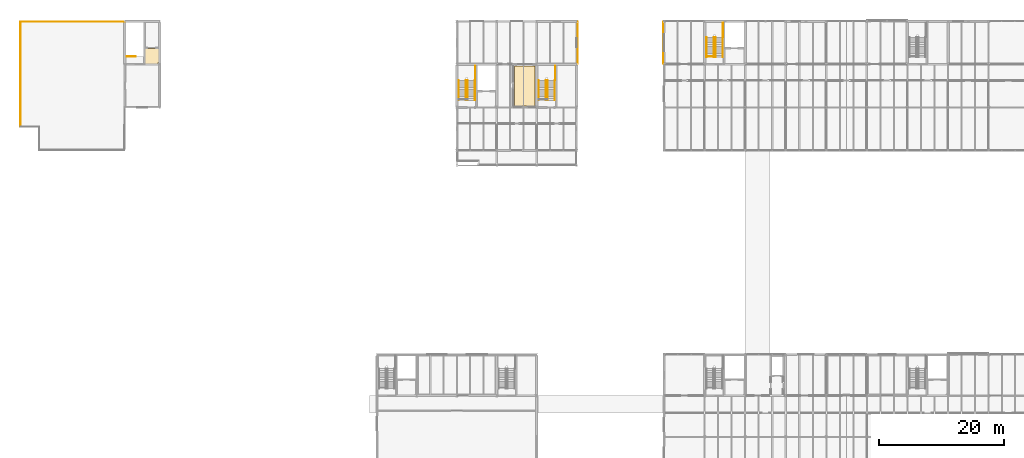
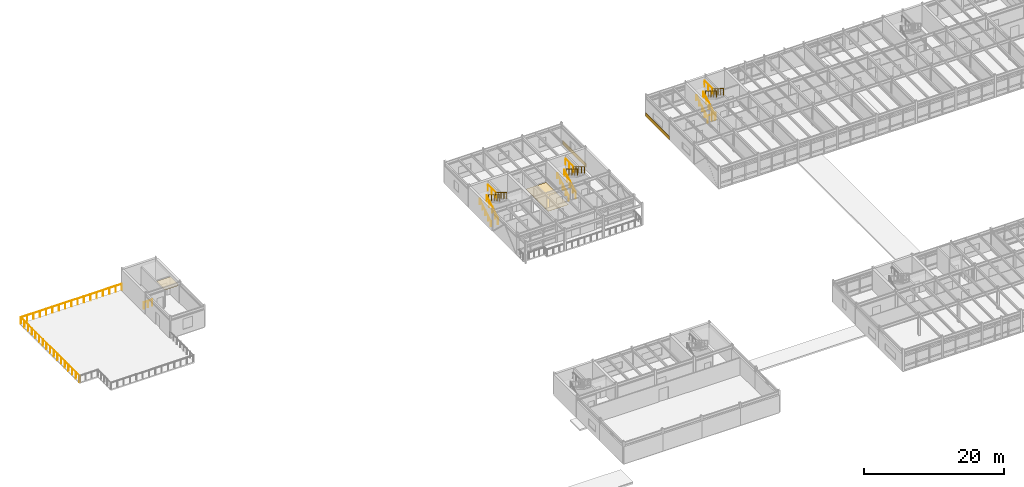
# One storey, part 48 of 49: 19 railings, 4 coverings.
"""IFC4 building model written with IfcOpenShell, lengths in metres."""

from ifc_helpers import new_model, si_unit, direction, frame, origin, origin_2d, place, context, subcontext, project, spatial, polyline, rectangle, circle, outline, extrude, material, layer, layer_set, type_object, element, save


model = new_model("IFC4")

# Units and contexts
model_context = context("Model", 3, precision=1e-05, world=origin(), true_north=direction((0.0, 1.0)))
body_context = subcontext(model_context, "Body", "Model", "MODEL_VIEW")
ifc_project = project(units=[si_unit("LENGTHUNIT", "METRE"), si_unit("AREAUNIT", "SQUARE_METRE"), si_unit("VOLUMEUNIT", "CUBIC_METRE"), si_unit("PLANEANGLEUNIT", "RADIAN"), si_unit("MASSUNIT", "GRAM", prefix="KILO")], contexts=[model_context])

# Site, building, storey
site_placement = place(None, origin())
site = spatial("IfcSite", under=ifc_project, at=site_placement, CompositionType="ELEMENT")
building_placement = place(site_placement, origin())
building = spatial("IfcBuilding", under=site, at=building_placement, Name="Trelmorton Wharf Fire Station", CompositionType="ELEMENT")
storey_placement = place(building_placement, frame((0.0, 0.0, 9.60009765625)))
storey = spatial("IfcBuildingStorey", under=building, at=storey_placement, Name="L02", CompositionType="ELEMENT", Elevation=9.60009765625)

# Coverings
ifc_material_1 = material(Name="Mineral fibre acoustic ceiling")
ifc_layer_1 = layer(ifc_material_1, 0.02001953125)
ifc_layer_set_1 = layer_set([ifc_layer_1], Name="Mineral fibre acoustic ceiling")
covering_type_1 = type_object("IfcCoveringType", Name="CV_CEIL_ACOU", PredefinedType="CEILING", material=ifc_layer_set_1)
covering_1_placement = place(storey_placement, frame((0.0, 0.0, 2.97998046875)))
element("IfcCovering", 1, at=covering_1_placement, inside=storey, type_object=covering_type_1, Name="CV-CLG-031", PredefinedType="CEILING", context=body_context, shape_type="SweptSolid", body=[
    extrude(outline(polyline([(20.760009765625, 74.139892578125), (20.760009765625, 76.659912109375), (23.159912109375, 76.659912109375), (23.159912109375, 74.39990234375), (22.89990234375, 74.39990234375), (22.89990234375, 74.139892578125), (20.760009765625, 74.139892578125)])), origin(), (0.0, 0.0, 1.0), 0.02001953125),
])
ifc_material_2 = material(Name="Architectural terracotta cladding", Category="masonry")
ifc_layer_2 = layer(ifc_material_2, 0.044921875)
ifc_layer_set_2 = layer_set([ifc_layer_2], Name="Architectural terracotta cladding")
covering_type_2 = type_object("IfcCoveringType", Name="CV_CLAD_TER", PredefinedType="CLADDING", material=ifc_layer_set_2)
for number, where, z_axis, x_axis, name in (
    (2, (90.1650390625, 77.550048828125, 0.02978515625), (0.0, 0.0, 1.0), (0.0, -1.0, 0.0), "CV-TER-0031"),
    (3, (103.864990234375, 77.550048828125, 0.02978515625), (0.0, 0.0, 1.0), (0.0, 1.0, 0.0), "CV-TER-0043"),
):
    element("IfcCovering", number, at=place(storey_placement, frame(where, z_axis=z_axis, x_axis=x_axis)), inside=storey, type_object=covering_type_2, Name=name, PredefinedType="CLADDING", context=body_context, shape_type="SweptSolid", body=[
        extrude(rectangle(XDim=6.77001953125, YDim=0.044921875, at=origin_2d()), origin(), (0.0, 0.0, 1.0), 0.659912109375),
    ])
ifc_material_3 = material(Name="Quarry tile wet-area flooring")
ifc_layer_3 = layer(ifc_material_3, 0.02001953125)
ifc_layer_set_3 = layer_set([ifc_layer_3], Name="Quarry tile wet-area flooring")
covering_type_3 = type_object("IfcCoveringType", Name="CV_FLOR_TILE", PredefinedType="FLOORING", material=ifc_layer_set_3)
covering_2_placement = place(storey_placement, origin())
element("IfcCovering", 4, at=covering_2_placement, inside=storey, type_object=covering_type_3, Name="CV-FLR-024", PredefinedType="FLOORING", context=body_context, shape_type="SweptSolid", body=[
    extrude(outline(polyline([(83.35009765625, 67.449951171875), (83.35009765625, 73.85009765625), (80.050048828125, 73.85009765625), (80.050048828125, 67.449951171875), (83.35009765625, 67.449951171875)])), origin(), (0.0, 0.0, 1.0), 0.02001953125),
])

# Railings
ifc_material_4 = material(Name="Stainless steel 316 marine grade", Category="steel")
railing_type_1 = type_object("IfcRailingType", Name="RL_BAL_TERR", PredefinedType="BALUSTRADE", material=ifc_material_4)
railing_1_placement = place(storey_placement, frame((0.8798828125, 64.139892578125, 0.0)))
element("IfcRailing", 5, at=railing_1_placement, inside=storey, type_object=railing_type_1, Name="RL-DECK-L02-050", PredefinedType="BALUSTRADE", context=body_context, shape_type="SweptSolid", body=[
    extrude(circle(Radius=0.02392578125, at=origin_2d()), frame((0.0, 0.0, 1.09619140625), z_axis=(0.0, 1.0, 0.0), x_axis=(-1.0, 0.0, 0.0)), (0.0, 0.0, 1.0), 16.739990234375),
    extrude(circle(Radius=0.02099609375, at=origin_2d()), origin(), (0.0, 0.0, 1.0), 1.072021484375),
    extrude(circle(Radius=0.02099609375, at=origin_2d()), frame((0.0, 1.046142578125, 0.0)), (0.0, 0.0, 1.0), 1.072021484375),
    extrude(circle(Radius=0.02099609375, at=origin_2d()), frame((0.0, 2.092529296875, 0.0)), (0.0, 0.0, 1.0), 1.072021484375),
    extrude(circle(Radius=0.02099609375, at=origin_2d()), frame((0.0, 3.138671875, 0.0)), (0.0, 0.0, 1.0), 1.072021484375),
    extrude(circle(Radius=0.02099609375, at=origin_2d()), frame((0.0, 4.18505859375, 0.0)), (0.0, 0.0, 1.0), 1.072021484375),
    extrude(circle(Radius=0.02099609375, at=origin_2d()), frame((0.0, 5.231201171875, 0.0)), (0.0, 0.0, 1.0), 1.072021484375),
    extrude(circle(Radius=0.02099609375, at=origin_2d()), frame((0.0, 6.277587890625, 0.0)), (0.0, 0.0, 1.0), 1.072021484375),
    extrude(circle(Radius=0.02099609375, at=origin_2d()), frame((0.0, 7.32373046875, 0.0)), (0.0, 0.0, 1.0), 1.072021484375),
    extrude(circle(Radius=0.02099609375, at=origin_2d()), frame((0.0, 8.3701171875, 0.0)), (0.0, 0.0, 1.0), 1.072021484375),
    extrude(circle(Radius=0.02099609375, at=origin_2d()), frame((0.0, 9.416259765625, 0.0)), (0.0, 0.0, 1.0), 1.072021484375),
    extrude(circle(Radius=0.02099609375, at=origin_2d()), frame((0.0, 10.46240234375, 0.0)), (0.0, 0.0, 1.0), 1.072021484375),
    extrude(circle(Radius=0.02099609375, at=origin_2d()), frame((0.0, 11.5087890625, 0.0)), (0.0, 0.0, 1.0), 1.072021484375),
    extrude(circle(Radius=0.02099609375, at=origin_2d()), frame((0.0, 12.554931640625, 0.0)), (0.0, 0.0, 1.0), 1.072021484375),
    extrude(circle(Radius=0.02099609375, at=origin_2d()), frame((0.0, 13.601318359375, 0.0)), (0.0, 0.0, 1.0), 1.072021484375),
    extrude(circle(Radius=0.02099609375, at=origin_2d()), frame((0.0, 14.6474609375, 0.0)), (0.0, 0.0, 1.0), 1.072021484375),
    extrude(circle(Radius=0.02099609375, at=origin_2d()), frame((0.0, 15.69384765625, 0.0)), (0.0, 0.0, 1.0), 1.072021484375),
    extrude(circle(Radius=0.02099609375, at=origin_2d()), frame((0.0, 16.739990234375, 0.0)), (0.0, 0.0, 1.0), 1.072021484375),
])
railing_2_placement = place(storey_placement, frame((0.919921875, 80.919921875, 0.0)))
element("IfcRailing", 6, at=railing_2_placement, inside=storey, type_object=railing_type_1, Name="RL-DECK-L02-051", PredefinedType="BALUSTRADE", context=body_context, shape_type="SweptSolid", body=[
    extrude(circle(Radius=0.02392578125, at=origin_2d()), frame((0.0, 0.0, 1.09619140625), z_axis=(1.0, 0.0, 0.0), x_axis=(0.0, 1.0, 0.0)), (0.0, 0.0, 1.0), 16.64013671875),
    extrude(circle(Radius=0.02099609375, at=origin_2d()), origin(), (0.0, 0.0, 1.0), 1.072021484375),
    extrude(circle(Radius=0.02099609375, at=origin_2d()), frame((1.0400390625, 0.0, 0.0)), (0.0, 0.0, 1.0), 1.072021484375),
    extrude(circle(Radius=0.02099609375, at=origin_2d()), frame((2.080078125, 0.0, 0.0)), (0.0, 0.0, 1.0), 1.072021484375),
    extrude(circle(Radius=0.02099609375, at=origin_2d()), frame((3.1201171875, 0.0, 0.0)), (0.0, 0.0, 1.0), 1.072021484375),
    extrude(circle(Radius=0.02099609375, at=origin_2d()), frame((4.16015625, 0.0, 0.0)), (0.0, 0.0, 1.0), 1.072021484375),
    extrude(circle(Radius=0.02099609375, at=origin_2d()), frame((5.199951171875, 0.0, 0.0)), (0.0, 0.0, 1.0), 1.072021484375),
    extrude(circle(Radius=0.02099609375, at=origin_2d()), frame((6.239990234375, 0.0, 0.0)), (0.0, 0.0, 1.0), 1.072021484375),
    extrude(circle(Radius=0.02099609375, at=origin_2d()), frame((7.280029296875, 0.0, 0.0)), (0.0, 0.0, 1.0), 1.072021484375),
    extrude(circle(Radius=0.02099609375, at=origin_2d()), frame((8.320068359375, 0.0, 0.0)), (0.0, 0.0, 1.0), 1.072021484375),
    extrude(circle(Radius=0.02099609375, at=origin_2d()), frame((9.360107421875, 0.0, 0.0)), (0.0, 0.0, 1.0), 1.072021484375),
    extrude(circle(Radius=0.02099609375, at=origin_2d()), frame((10.400146484375, 0.0, 0.0)), (0.0, 0.0, 1.0), 1.072021484375),
    extrude(circle(Radius=0.02099609375, at=origin_2d()), frame((11.440185546875, 0.0, 0.0)), (0.0, 0.0, 1.0), 1.072021484375),
    extrude(circle(Radius=0.02099609375, at=origin_2d()), frame((12.47998046875, 0.0, 0.0)), (0.0, 0.0, 1.0), 1.072021484375),
    extrude(circle(Radius=0.02099609375, at=origin_2d()), frame((13.52001953125, 0.0, 0.0)), (0.0, 0.0, 1.0), 1.072021484375),
    extrude(circle(Radius=0.02099609375, at=origin_2d()), frame((14.56005859375, 0.0, 0.0)), (0.0, 0.0, 1.0), 1.072021484375),
    extrude(circle(Radius=0.02099609375, at=origin_2d()), frame((15.60009765625, 0.0, 0.0)), (0.0, 0.0, 1.0), 1.072021484375),
    extrude(circle(Radius=0.02099609375, at=origin_2d()), frame((16.64013671875, 0.0, 0.0)), (0.0, 0.0, 1.0), 1.072021484375),
])
railing_type_2 = type_object("IfcRailingType", Name="RL_HAND_900", PredefinedType="HANDRAIL", material=ifc_material_4)
for number, where, name in (
    (7, (71.110107421875, 68.340087890625, 0.0), "RL-HR1-STR-C6-L02-23"),
    (8, (83.909912109375, 68.340087890625, 0.0), "RL-HR1-STR-C6B-L02-29"),
    (9, (110.81005859375, 75.239990234375, 0.0), "RL-HR1-STR-C7-L02-35"),
):
    element("IfcRailing", number, at=place(storey_placement, frame(where)), inside=storey, type_object=railing_type_2, Name=name, PredefinedType="HANDRAIL", context=body_context, shape_type="SweptSolid", body=[
        extrude(circle(Radius=0.02099609375, at=origin_2d()), frame((0.0, 0.0, 0.87890625), z_axis=(0.0, 0.853217260254, 0.521555660313), x_axis=(-1.0, 0.0, 0.0)), (0.0, 0.0, 1.0), 3.73876953125),
        extrude(circle(Radius=0.02099609375, at=origin_2d()), origin(), (0.0, 0.0, 1.0), 0.85791015625),
        extrude(circle(Radius=0.02099609375, at=origin_2d()), frame((0.0, 0.79736328125, 0.487548828125)), (0.0, 0.0, 1.0), 0.85791015625),
        extrude(circle(Radius=0.02099609375, at=origin_2d()), frame((0.0, 1.594970703125, 0.97509765625)), (0.0, 0.0, 1.0), 0.85791015625),
        extrude(circle(Radius=0.02099609375, at=origin_2d()), frame((0.0, 2.392578125, 1.46240234375)), (0.0, 0.0, 1.0), 0.85791015625),
        extrude(circle(Radius=0.02099609375, at=origin_2d()), frame((0.0, 3.18994140625, 1.949951171875)), (0.0, 0.0, 1.0), 0.85791015625),
    ])
railing_type_3 = type_object("IfcRailingType", Name="RL_WELL_1100", PredefinedType="BALUSTRADE", material=ifc_material_4)
railing_3_placement = place(storey_placement, frame((17.9599609375, 75.360107421875, 0.0)))
element("IfcRailing", 10, at=railing_3_placement, inside=storey, type_object=railing_type_3, Name="RL-UPWELL-STR-C5-L01-19", PredefinedType="BALUSTRADE", context=body_context, shape_type="SweptSolid", body=[
    extrude(circle(Radius=0.02392578125, at=origin_2d()), frame((0.0, 0.0, 1.09619140625), z_axis=(1.0, 0.0, 0.0), x_axis=(0.0, 1.0, 0.0)), (0.0, 0.0, 1.0), 1.380126953125),
    extrude(circle(Radius=0.02099609375, at=origin_2d()), origin(), (0.0, 0.0, 1.0), 1.072021484375),
    extrude(circle(Radius=0.02099609375, at=origin_2d()), frame((0.68994140625, 0.0, 0.0)), (0.0, 0.0, 1.0), 1.072021484375),
    extrude(circle(Radius=0.02099609375, at=origin_2d()), frame((1.380126953125, 0.0, 0.0)), (0.0, 0.0, 1.0), 1.072021484375),
])
railing_4_placement = place(storey_placement, frame((73.7548828125, 73.85498046875, 1.949951171875)))
element("IfcRailing", 11, at=railing_4_placement, inside=storey, type_object=railing_type_3, Name="RL-GW-OUT1-STR-C6-L02-23", PredefinedType="BALUSTRADE", context=body_context, shape_type="SweptSolid", body=[
    extrude(circle(Radius=0.02392578125, at=origin_2d()), frame((0.0, 0.0, 1.09619140625), z_axis=(0.0, -1.0, 0.0), x_axis=(1.0, 0.0, 0.0)), (0.0, 0.0, 1.0), 2.284912109375),
    extrude(circle(Radius=0.02099609375, at=origin_2d()), origin(), (0.0, 0.0, 1.0), 1.072021484375),
    extrude(circle(Radius=0.02099609375, at=origin_2d()), frame((0.0, -1.142578125, 0.0)), (0.0, 0.0, 1.0), 1.072021484375),
    extrude(circle(Radius=0.02099609375, at=origin_2d()), frame((0.0, -2.284912109375, 0.0)), (0.0, 0.0, 1.0), 1.072021484375),
])
railing_5_placement = place(storey_placement, frame((73.68994140625, 71.530029296875, 1.949951171875)))
element("IfcRailing", 12, at=railing_5_placement, inside=storey, type_object=railing_type_3, Name="RL-GW-OUT2-STR-C6-L02-23", PredefinedType="BALUSTRADE", context=body_context, shape_type="SweptSolid", body=[
    extrude(circle(Radius=0.02392578125, at=origin_2d()), frame((0.0, 0.0, 1.09619140625), z_axis=(0.0, -0.853217260254, 0.521555660313), x_axis=(1.0, 0.0, 0.0)), (0.0, 0.0, 1.0), 3.73876953125),
    extrude(circle(Radius=0.02099609375, at=origin_2d()), origin(), (0.0, 0.0, 1.0), 1.072021484375),
    extrude(circle(Radius=0.02099609375, at=origin_2d()), frame((0.0, -0.79736328125, 0.487548828125)), (0.0, 0.0, 1.0), 1.072021484375),
    extrude(circle(Radius=0.02099609375, at=origin_2d()), frame((0.0, -1.594970703125, 0.97509765625)), (0.0, 0.0, 1.0), 1.072021484375),
    extrude(circle(Radius=0.02099609375, at=origin_2d()), frame((0.0, -2.392578125, 1.46240234375)), (0.0, 0.0, 1.0), 1.072021484375),
    extrude(circle(Radius=0.02099609375, at=origin_2d()), frame((0.0, -3.18994140625, 1.949951171875)), (0.0, 0.0, 1.0), 1.072021484375),
])
railing_6_placement = place(storey_placement, frame((72.25, 68.340087890625, 0.0)))
element("IfcRailing", 13, at=railing_6_placement, inside=storey, type_object=railing_type_3, Name="RL-GW-IN1-STR-C6-L02-23", PredefinedType="BALUSTRADE", context=body_context, shape_type="SweptSolid", body=[
    extrude(circle(Radius=0.02392578125, at=origin_2d()), frame((0.0, 0.0, 1.09619140625), z_axis=(0.0, 0.853217260254, 0.521555660313), x_axis=(-1.0, 0.0, 0.0)), (0.0, 0.0, 1.0), 3.73876953125),
    extrude(circle(Radius=0.02099609375, at=origin_2d()), origin(), (0.0, 0.0, 1.0), 1.072021484375),
    extrude(circle(Radius=0.02099609375, at=origin_2d()), frame((0.0, 0.79736328125, 0.487548828125)), (0.0, 0.0, 1.0), 1.072021484375),
    extrude(circle(Radius=0.02099609375, at=origin_2d()), frame((0.0, 1.594970703125, 0.97509765625)), (0.0, 0.0, 1.0), 1.072021484375),
    extrude(circle(Radius=0.02099609375, at=origin_2d()), frame((0.0, 2.392578125, 1.46240234375)), (0.0, 0.0, 1.0), 1.072021484375),
    extrude(circle(Radius=0.02099609375, at=origin_2d()), frame((0.0, 3.18994140625, 1.949951171875)), (0.0, 0.0, 1.0), 1.072021484375),
])
railing_7_placement = place(storey_placement, frame((72.550048828125, 71.530029296875, 1.949951171875)))
element("IfcRailing", 14, at=railing_7_placement, inside=storey, type_object=railing_type_3, Name="RL-GW-IN2-STR-C6-L02-23", PredefinedType="BALUSTRADE", context=body_context, shape_type="SweptSolid", body=[
    extrude(circle(Radius=0.02392578125, at=origin_2d()), frame((0.0, 0.0, 1.09619140625), z_axis=(0.0, -0.853217260254, 0.521555660313), x_axis=(1.0, 0.0, 0.0)), (0.0, 0.0, 1.0), 3.73876953125),
    extrude(circle(Radius=0.02099609375, at=origin_2d()), origin(), (0.0, 0.0, 1.0), 1.072021484375),
    extrude(circle(Radius=0.02099609375, at=origin_2d()), frame((0.0, -0.79736328125, 0.487548828125)), (0.0, 0.0, 1.0), 1.072021484375),
    extrude(circle(Radius=0.02099609375, at=origin_2d()), frame((0.0, -1.594970703125, 0.97509765625)), (0.0, 0.0, 1.0), 1.072021484375),
    extrude(circle(Radius=0.02099609375, at=origin_2d()), frame((0.0, -2.392578125, 1.46240234375)), (0.0, 0.0, 1.0), 1.072021484375),
    extrude(circle(Radius=0.02099609375, at=origin_2d()), frame((0.0, -3.18994140625, 1.949951171875)), (0.0, 0.0, 1.0), 1.072021484375),
])
railing_8_placement = place(storey_placement, frame((86.554931640625, 73.85498046875, 1.949951171875)))
element("IfcRailing", 15, at=railing_8_placement, inside=storey, type_object=railing_type_3, Name="RL-GW-OUT1-STR-C6B-L02-29", PredefinedType="BALUSTRADE", context=body_context, shape_type="SweptSolid", body=[
    extrude(circle(Radius=0.02392578125, at=origin_2d()), frame((0.0, 0.0, 1.09619140625), z_axis=(0.0, -1.0, 0.0), x_axis=(1.0, 0.0, 0.0)), (0.0, 0.0, 1.0), 2.284912109375),
    extrude(circle(Radius=0.02099609375, at=origin_2d()), origin(), (0.0, 0.0, 1.0), 1.072021484375),
    extrude(circle(Radius=0.02099609375, at=origin_2d()), frame((0.0, -1.142578125, 0.0)), (0.0, 0.0, 1.0), 1.072021484375),
    extrude(circle(Radius=0.02099609375, at=origin_2d()), frame((0.0, -2.284912109375, 0.0)), (0.0, 0.0, 1.0), 1.072021484375),
])
railing_9_placement = place(storey_placement, frame((86.489990234375, 71.530029296875, 1.949951171875)))
element("IfcRailing", 16, at=railing_9_placement, inside=storey, type_object=railing_type_3, Name="RL-GW-OUT2-STR-C6B-L02-29", PredefinedType="BALUSTRADE", context=body_context, shape_type="SweptSolid", body=[
    extrude(circle(Radius=0.02392578125, at=origin_2d()), frame((0.0, 0.0, 1.09619140625), z_axis=(0.0, -0.853217260254, 0.521555660313), x_axis=(1.0, 0.0, 0.0)), (0.0, 0.0, 1.0), 3.73876953125),
    extrude(circle(Radius=0.02099609375, at=origin_2d()), origin(), (0.0, 0.0, 1.0), 1.072021484375),
    extrude(circle(Radius=0.02099609375, at=origin_2d()), frame((0.0, -0.79736328125, 0.487548828125)), (0.0, 0.0, 1.0), 1.072021484375),
    extrude(circle(Radius=0.02099609375, at=origin_2d()), frame((0.0, -1.594970703125, 0.97509765625)), (0.0, 0.0, 1.0), 1.072021484375),
    extrude(circle(Radius=0.02099609375, at=origin_2d()), frame((0.0, -2.392578125, 1.46240234375)), (0.0, 0.0, 1.0), 1.072021484375),
    extrude(circle(Radius=0.02099609375, at=origin_2d()), frame((0.0, -3.18994140625, 1.949951171875)), (0.0, 0.0, 1.0), 1.072021484375),
])
railing_10_placement = place(storey_placement, frame((85.050048828125, 68.340087890625, 0.0)))
element("IfcRailing", 17, at=railing_10_placement, inside=storey, type_object=railing_type_3, Name="RL-GW-IN1-STR-C6B-L02-29", PredefinedType="BALUSTRADE", context=body_context, shape_type="SweptSolid", body=[
    extrude(circle(Radius=0.02392578125, at=origin_2d()), frame((0.0, 0.0, 1.09619140625), z_axis=(0.0, 0.853217260254, 0.521555660313), x_axis=(-1.0, 0.0, 0.0)), (0.0, 0.0, 1.0), 3.73876953125),
    extrude(circle(Radius=0.02099609375, at=origin_2d()), origin(), (0.0, 0.0, 1.0), 1.072021484375),
    extrude(circle(Radius=0.02099609375, at=origin_2d()), frame((0.0, 0.79736328125, 0.487548828125)), (0.0, 0.0, 1.0), 1.072021484375),
    extrude(circle(Radius=0.02099609375, at=origin_2d()), frame((0.0, 1.594970703125, 0.97509765625)), (0.0, 0.0, 1.0), 1.072021484375),
    extrude(circle(Radius=0.02099609375, at=origin_2d()), frame((0.0, 2.392578125, 1.46240234375)), (0.0, 0.0, 1.0), 1.072021484375),
    extrude(circle(Radius=0.02099609375, at=origin_2d()), frame((0.0, 3.18994140625, 1.949951171875)), (0.0, 0.0, 1.0), 1.072021484375),
])
railing_11_placement = place(storey_placement, frame((85.35009765625, 71.530029296875, 1.949951171875)))
element("IfcRailing", 18, at=railing_11_placement, inside=storey, type_object=railing_type_3, Name="RL-GW-IN2-STR-C6B-L02-29", PredefinedType="BALUSTRADE", context=body_context, shape_type="SweptSolid", body=[
    extrude(circle(Radius=0.02392578125, at=origin_2d()), frame((0.0, 0.0, 1.09619140625), z_axis=(0.0, -0.853217260254, 0.521555660313), x_axis=(1.0, 0.0, 0.0)), (0.0, 0.0, 1.0), 3.73876953125),
    extrude(circle(Radius=0.02099609375, at=origin_2d()), origin(), (0.0, 0.0, 1.0), 1.072021484375),
    extrude(circle(Radius=0.02099609375, at=origin_2d()), frame((0.0, -0.79736328125, 0.487548828125)), (0.0, 0.0, 1.0), 1.072021484375),
    extrude(circle(Radius=0.02099609375, at=origin_2d()), frame((0.0, -1.594970703125, 0.97509765625)), (0.0, 0.0, 1.0), 1.072021484375),
    extrude(circle(Radius=0.02099609375, at=origin_2d()), frame((0.0, -2.392578125, 1.46240234375)), (0.0, 0.0, 1.0), 1.072021484375),
    extrude(circle(Radius=0.02099609375, at=origin_2d()), frame((0.0, -3.18994140625, 1.949951171875)), (0.0, 0.0, 1.0), 1.072021484375),
])
railing_12_placement = place(storey_placement, frame((110.860107421875, 75.360107421875, 0.0)))
element("IfcRailing", 19, at=railing_12_placement, inside=storey, type_object=railing_type_3, Name="RL-UPWELL-STR-C7-L01-34", PredefinedType="BALUSTRADE", context=body_context, shape_type="SweptSolid", body=[
    extrude(circle(Radius=0.02392578125, at=origin_2d()), frame((0.0, 0.0, 1.09619140625), z_axis=(1.0, 0.0, 0.0), x_axis=(0.0, 1.0, 0.0)), (0.0, 0.0, 1.0), 1.33984375),
    extrude(circle(Radius=0.02099609375, at=origin_2d()), origin(), (0.0, 0.0, 1.0), 1.072021484375),
    extrude(circle(Radius=0.02099609375, at=origin_2d()), frame((0.669921875, 0.0, 0.0)), (0.0, 0.0, 1.0), 1.072021484375),
    extrude(circle(Radius=0.02099609375, at=origin_2d()), frame((1.33984375, 0.0, 0.0)), (0.0, 0.0, 1.0), 1.072021484375),
])
railing_13_placement = place(storey_placement, frame((113.455078125, 80.7548828125, 1.949951171875)))
element("IfcRailing", 20, at=railing_13_placement, inside=storey, type_object=railing_type_3, Name="RL-GW-OUT1-STR-C7-L02-35", PredefinedType="BALUSTRADE", context=body_context, shape_type="SweptSolid", body=[
    extrude(circle(Radius=0.02392578125, at=origin_2d()), frame((0.0, 0.0, 1.09619140625), z_axis=(0.0, -1.0, 0.0), x_axis=(1.0, 0.0, 0.0)), (0.0, 0.0, 1.0), 2.284912109375),
    extrude(circle(Radius=0.02099609375, at=origin_2d()), origin(), (0.0, 0.0, 1.0), 1.072021484375),
    extrude(circle(Radius=0.02099609375, at=origin_2d()), frame((0.0, -1.142578125, 0.0)), (0.0, 0.0, 1.0), 1.072021484375),
    extrude(circle(Radius=0.02099609375, at=origin_2d()), frame((0.0, -2.284912109375, 0.0)), (0.0, 0.0, 1.0), 1.072021484375),
])
railing_14_placement = place(storey_placement, frame((113.389892578125, 78.429931640625, 1.949951171875)))
element("IfcRailing", 21, at=railing_14_placement, inside=storey, type_object=railing_type_3, Name="RL-GW-OUT2-STR-C7-L02-35", PredefinedType="BALUSTRADE", context=body_context, shape_type="SweptSolid", body=[
    extrude(circle(Radius=0.02392578125, at=origin_2d()), frame((0.0, 0.0, 1.09619140625), z_axis=(0.0, -0.853217260254, 0.521555660313), x_axis=(1.0, 0.0, 0.0)), (0.0, 0.0, 1.0), 3.73876953125),
    extrude(circle(Radius=0.02099609375, at=origin_2d()), origin(), (0.0, 0.0, 1.0), 1.072021484375),
    extrude(circle(Radius=0.02099609375, at=origin_2d()), frame((0.0, -0.79736328125, 0.487548828125)), (0.0, 0.0, 1.0), 1.072021484375),
    extrude(circle(Radius=0.02099609375, at=origin_2d()), frame((0.0, -1.594970703125, 0.97509765625)), (0.0, 0.0, 1.0), 1.072021484375),
    extrude(circle(Radius=0.02099609375, at=origin_2d()), frame((0.0, -2.392578125, 1.46240234375)), (0.0, 0.0, 1.0), 1.072021484375),
    extrude(circle(Radius=0.02099609375, at=origin_2d()), frame((0.0, -3.18994140625, 1.949951171875)), (0.0, 0.0, 1.0), 1.072021484375),
])
railing_15_placement = place(storey_placement, frame((111.949951171875, 75.239990234375, 0.0)))
element("IfcRailing", 22, at=railing_15_placement, inside=storey, type_object=railing_type_3, Name="RL-GW-IN1-STR-C7-L02-35", PredefinedType="BALUSTRADE", context=body_context, shape_type="SweptSolid", body=[
    extrude(circle(Radius=0.02392578125, at=origin_2d()), frame((0.0, 0.0, 1.09619140625), z_axis=(0.0, 0.853217260254, 0.521555660313), x_axis=(-1.0, 0.0, 0.0)), (0.0, 0.0, 1.0), 3.73876953125),
    extrude(circle(Radius=0.02099609375, at=origin_2d()), origin(), (0.0, 0.0, 1.0), 1.072021484375),
    extrude(circle(Radius=0.02099609375, at=origin_2d()), frame((0.0, 0.79736328125, 0.487548828125)), (0.0, 0.0, 1.0), 1.072021484375),
    extrude(circle(Radius=0.02099609375, at=origin_2d()), frame((0.0, 1.594970703125, 0.97509765625)), (0.0, 0.0, 1.0), 1.072021484375),
    extrude(circle(Radius=0.02099609375, at=origin_2d()), frame((0.0, 2.392578125, 1.46240234375)), (0.0, 0.0, 1.0), 1.072021484375),
    extrude(circle(Radius=0.02099609375, at=origin_2d()), frame((0.0, 3.18994140625, 1.949951171875)), (0.0, 0.0, 1.0), 1.072021484375),
])
railing_16_placement = place(storey_placement, frame((112.25, 78.429931640625, 1.949951171875)))
element("IfcRailing", 23, at=railing_16_placement, inside=storey, type_object=railing_type_3, Name="RL-GW-IN2-STR-C7-L02-35", PredefinedType="BALUSTRADE", context=body_context, shape_type="SweptSolid", body=[
    extrude(circle(Radius=0.02392578125, at=origin_2d()), frame((0.0, 0.0, 1.09619140625), z_axis=(0.0, -0.853217260254, 0.521555660313), x_axis=(1.0, 0.0, 0.0)), (0.0, 0.0, 1.0), 3.73876953125),
    extrude(circle(Radius=0.02099609375, at=origin_2d()), origin(), (0.0, 0.0, 1.0), 1.072021484375),
    extrude(circle(Radius=0.02099609375, at=origin_2d()), frame((0.0, -0.79736328125, 0.487548828125)), (0.0, 0.0, 1.0), 1.072021484375),
    extrude(circle(Radius=0.02099609375, at=origin_2d()), frame((0.0, -1.594970703125, 0.97509765625)), (0.0, 0.0, 1.0), 1.072021484375),
    extrude(circle(Radius=0.02099609375, at=origin_2d()), frame((0.0, -2.392578125, 1.46240234375)), (0.0, 0.0, 1.0), 1.072021484375),
    extrude(circle(Radius=0.02099609375, at=origin_2d()), frame((0.0, -3.18994140625, 1.949951171875)), (0.0, 0.0, 1.0), 1.072021484375),
])

save(model, "model.ifc")
